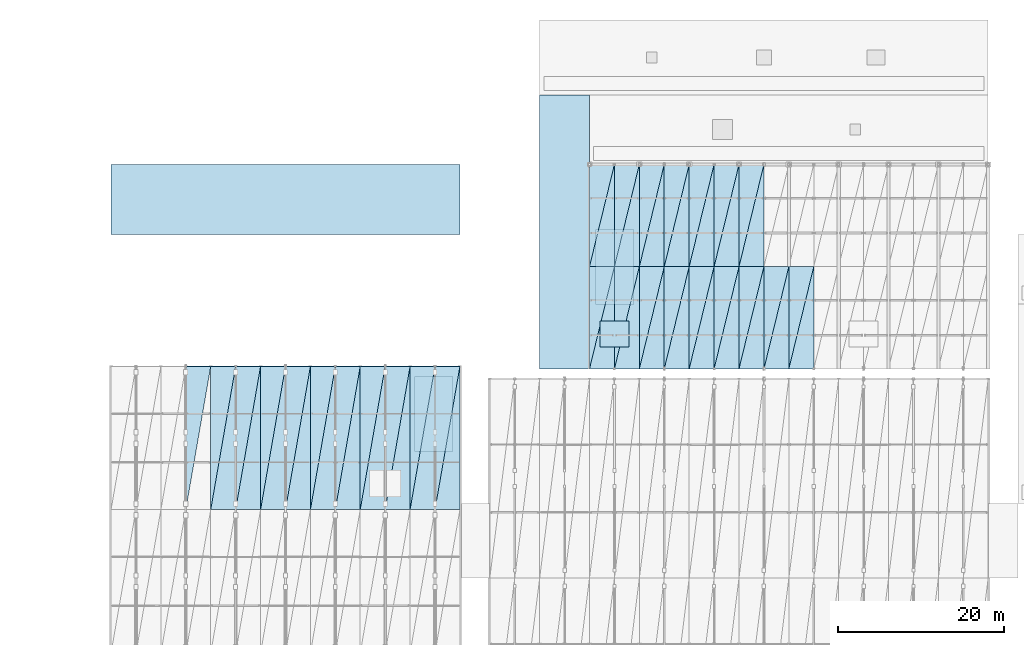
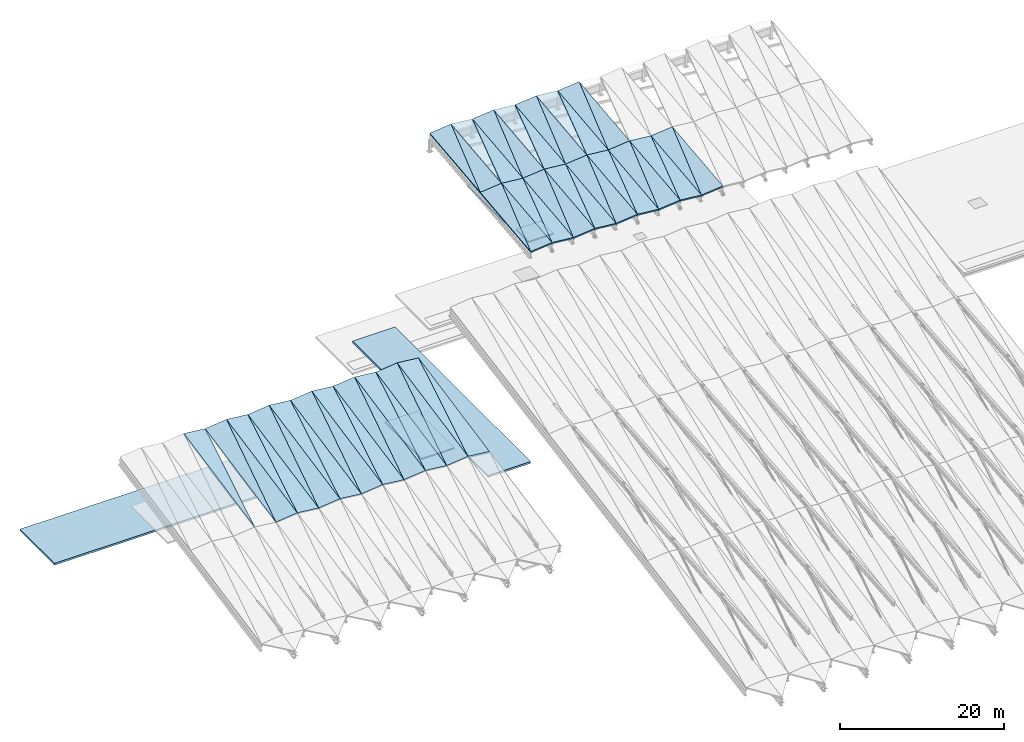
# One storey, part 22 of 52: 58 slabs.
"""IFC4 building model written with IfcOpenShell, lengths in metres."""

from ifc_helpers import new_model, si_unit, direction, frame, origin, place, context, subcontext, project, spatial, polyline, outline, extrude, material, layer, layer_set, type_object, element, save


model = new_model("IFC4")

# Units and contexts
model_context = context("Model", 3, precision=1e-05, world=origin(), true_north=direction((0.0, 1.0)))
body_context = subcontext(model_context, "Body", "Model", "MODEL_VIEW")
ifc_project = project(units=[si_unit("LENGTHUNIT", "METRE"), si_unit("AREAUNIT", "SQUARE_METRE"), si_unit("VOLUMEUNIT", "CUBIC_METRE"), si_unit("PLANEANGLEUNIT", "RADIAN"), si_unit("MASSUNIT", "GRAM", prefix="KILO")], contexts=[model_context])

# Site, building, storey
site_placement = place(None, origin())
site = spatial("IfcSite", under=ifc_project, at=site_placement, CompositionType="ELEMENT")
building_placement = place(site_placement, origin())
building = spatial("IfcBuilding", under=site, at=building_placement, Name="Vaelkrest Opera House", CompositionType="ELEMENT")
storey_placement = place(building_placement, frame((0.0, 0.0, 41.39990234375)))
storey = spatial("IfcBuildingStorey", under=building, at=storey_placement, Name="ROOF", CompositionType="ELEMENT", Elevation=41.39990234375)

# Slabs
ifc_material = material(Name="Concrete C40/50", Category="concrete")
ifc_layer_1 = layer(ifc_material, 0.215087890625)
ifc_layer_set_1 = layer_set([ifc_layer_1], Name="Concrete C40/50")
slab_type_1 = type_object("IfcSlabType", Name="RS02", PredefinedType="ROOF", material=ifc_layer_set_1)
slab_1_placement = place(storey_placement, frame((-66.60009765625, 0.449951171875, -13.637939453125), z_axis=(0.105319554338, -0.194372394638, 0.975257485835), x_axis=(0.168693911768, 0.969989992668, 0.175105049203)))
element("IfcSlab", 1, at=slab_1_placement, inside=storey, type_object=slab_type_1, Name="Pleated roof facet V3 2-2EU", PredefinedType="ROOF", context=body_context, shape_type="SweptSolid", body=[
    extrude(outline(polyline([(0.0, 0.0), (17.78368862605912, -1.1102230246251565e-16), (17.334336480669204, 2.9837966078392753), (0.0, 0.0)])), origin(), (0.0, 0.0, -1.0), 0.215087890625),
])
slab_2_placement = place(storey_placement, frame((-63.60009765625, 0.449951171875, -13.9619140625), z_axis=(-0.105319554338, -0.194372394638, 0.975257485835), x_axis=(0.994219425712, 0.0, 0.107367283359)))
element("IfcSlab", 2, at=slab_2_placement, inside=storey, type_object=slab_type_1, Name="Pleated roof facet V3 3-2WL", PredefinedType="ROOF", context=body_context, shape_type="SweptSolid", body=[
    extrude(outline(polyline([(0.0, 0.0), (3.0174425508234095, 1.3877787807814457e-17), (3.3865700128027116, 17.585391901769633), (0.0, 0.0)])), origin(), (0.0, 0.0, -1.0), 0.215087890625),
])
slab_3_placement = place(storey_placement, frame((-63.60009765625, 0.449951171875, -13.9619140625), z_axis=(-0.105319554338, -0.194372394638, 0.975257485835), x_axis=(0.167518088972, 0.963229011591, 0.210065611408)))
element("IfcSlab", 3, at=slab_3_placement, inside=storey, type_object=slab_type_1, Name="Pleated roof facet V3 3-2WU", PredefinedType="ROOF", context=body_context, shape_type="SweptSolid", body=[
    extrude(outline(polyline([(0.0, 0.0), (17.90851375157748, 1.1102230246251565e-16), (17.337903560261445, 2.962999081519595), (0.0, 0.0)])), origin(), (0.0, 0.0, -1.0), 0.215087890625),
])
slab_4_placement = place(storey_placement, frame((-60.60009765625, 0.449951171875, -13.637939453125), z_axis=(0.105319554338, -0.194372394638, 0.975257485835), x_axis=(0.994219425712, 0.0, -0.107367283359)))
element("IfcSlab", 4, at=slab_4_placement, inside=storey, type_object=slab_type_1, Name="Pleated roof facet V3 3-2EL", PredefinedType="ROOF", context=body_context, shape_type="SweptSolid", body=[
    extrude(outline(polyline([(0.0, 0.0), (3.0174425508234095, -1.3877787807814457e-17), (2.6483150888441074, 17.585391901769633), (0.0, 0.0)])), origin(), (0.0, 0.0, -1.0), 0.215087890625),
])
slab_5_placement = place(storey_placement, frame((-60.60009765625, 0.449951171875, -13.637939453125), z_axis=(0.105319554338, -0.194372394638, 0.975257485835), x_axis=(0.168693911768, 0.969989992668, 0.175105049203)))
element("IfcSlab", 5, at=slab_5_placement, inside=storey, type_object=slab_type_1, Name="Pleated roof facet V3 3-2EU", PredefinedType="ROOF", context=body_context, shape_type="SweptSolid", body=[
    extrude(outline(polyline([(0.0, 0.0), (17.78368862605912, -1.1102230246251565e-16), (17.334336480669204, 2.9837966078392753), (0.0, 0.0)])), origin(), (0.0, 0.0, -1.0), 0.215087890625),
])
slab_6_placement = place(storey_placement, frame((-57.60009765625, 0.449951171875, -13.9619140625), z_axis=(-0.105319554338, -0.194372394638, 0.975257485835), x_axis=(0.994219425712, 0.0, 0.107367283359)))
element("IfcSlab", 6, at=slab_6_placement, inside=storey, type_object=slab_type_1, Name="Pleated roof facet V3 4-2WL", PredefinedType="ROOF", context=body_context, shape_type="SweptSolid", body=[
    extrude(outline(polyline([(0.0, 0.0), (3.0174425508234095, 1.3877787807814457e-17), (3.3865700128027116, 17.585391901769633), (0.0, 0.0)])), origin(), (0.0, 0.0, -1.0), 0.215087890625),
])
slab_7_placement = place(storey_placement, frame((-57.60009765625, 0.449951171875, -13.9619140625), z_axis=(-0.105319554338, -0.194372394638, 0.975257485835), x_axis=(0.167518088972, 0.963229011591, 0.210065611408)))
element("IfcSlab", 7, at=slab_7_placement, inside=storey, type_object=slab_type_1, Name="Pleated roof facet V3 4-2WU", PredefinedType="ROOF", context=body_context, shape_type="SweptSolid", body=[
    extrude(outline(polyline([(0.0, 0.0), (17.90851375157748, 1.1102230246251565e-16), (17.337903560261445, 2.962999081519595), (0.0, 0.0)])), origin(), (0.0, 0.0, -1.0), 0.215087890625),
])
slab_8_placement = place(storey_placement, frame((-54.60009765625, 0.449951171875, -13.637939453125), z_axis=(0.105319554338, -0.194372394638, 0.975257485835), x_axis=(0.994219425712, 0.0, -0.107367283359)))
element("IfcSlab", 8, at=slab_8_placement, inside=storey, type_object=slab_type_1, Name="Pleated roof facet V3 4-2EL", PredefinedType="ROOF", context=body_context, shape_type="SweptSolid", body=[
    extrude(outline(polyline([(0.0, 0.0), (3.0174425508234095, -1.3877787807814457e-17), (2.6483150888441074, 17.585391901769633), (0.0, 0.0)])), origin(), (0.0, 0.0, -1.0), 0.215087890625),
])
slab_9_placement = place(storey_placement, frame((-54.60009765625, 0.449951171875, -13.637939453125), z_axis=(0.105319554338, -0.194372394638, 0.975257485835), x_axis=(0.168693911768, 0.969989992668, 0.175105049203)))
element("IfcSlab", 9, at=slab_9_placement, inside=storey, type_object=slab_type_1, Name="Pleated roof facet V3 4-2EU", PredefinedType="ROOF", context=body_context, shape_type="SweptSolid", body=[
    extrude(outline(polyline([(0.0, 0.0), (17.78368862605912, -1.1102230246251565e-16), (17.334336480669204, 2.9837966078392753), (0.0, 0.0)])), origin(), (0.0, 0.0, -1.0), 0.215087890625),
])
slab_10_placement = place(storey_placement, frame((-51.60009765625, 0.449951171875, -13.9619140625), z_axis=(-0.105319554338, -0.194372394638, 0.975257485835), x_axis=(0.994219425712, 0.0, 0.107367283359)))
element("IfcSlab", 10, at=slab_10_placement, inside=storey, type_object=slab_type_1, Name="Pleated roof facet V3 5-2WL", PredefinedType="ROOF", context=body_context, shape_type="SweptSolid", body=[
    extrude(outline(polyline([(0.0, 0.0), (3.0174425508234095, 1.3877787807814457e-17), (3.3865700128027116, 17.585391901769633), (0.0, 0.0)])), origin(), (0.0, 0.0, -1.0), 0.215087890625),
])
slab_11_placement = place(storey_placement, frame((-51.60009765625, 0.449951171875, -13.9619140625), z_axis=(-0.105319554338, -0.194372394638, 0.975257485835), x_axis=(0.167518088972, 0.963229011591, 0.210065611408)))
element("IfcSlab", 11, at=slab_11_placement, inside=storey, type_object=slab_type_1, Name="Pleated roof facet V3 5-2WU", PredefinedType="ROOF", context=body_context, shape_type="SweptSolid", body=[
    extrude(outline(polyline([(0.0, 0.0), (17.90851375157748, 1.1102230246251565e-16), (17.337903560261445, 2.962999081519595), (0.0, 0.0)])), origin(), (0.0, 0.0, -1.0), 0.215087890625),
])
slab_12_placement = place(storey_placement, frame((-48.60009765625, 0.449951171875, -13.637939453125), z_axis=(0.105319554338, -0.194372394638, 0.975257485835), x_axis=(0.994219425712, 0.0, -0.107367283359)))
element("IfcSlab", 12, at=slab_12_placement, inside=storey, type_object=slab_type_1, Name="Pleated roof facet V3 5-2EL", PredefinedType="ROOF", context=body_context, shape_type="SweptSolid", body=[
    extrude(outline(polyline([(0.0, 0.0), (3.0174425508234095, -1.3877787807814457e-17), (2.6483150888441074, 17.585391901769633), (0.0, 0.0)])), origin(), (0.0, 0.0, -1.0), 0.215087890625),
])
slab_13_placement = place(storey_placement, frame((-48.60009765625, 0.449951171875, -13.637939453125), z_axis=(0.105319554338, -0.194372394638, 0.975257485835), x_axis=(0.168693911768, 0.969989992668, 0.175105049203)))
element("IfcSlab", 13, at=slab_13_placement, inside=storey, type_object=slab_type_1, Name="Pleated roof facet V3 5-2EU", PredefinedType="ROOF", context=body_context, shape_type="SweptSolid", body=[
    extrude(outline(polyline([(0.0, 0.0), (17.78368862605912, -1.1102230246251565e-16), (17.334336480669204, 2.9837966078392753), (0.0, 0.0)])), origin(), (0.0, 0.0, -1.0), 0.215087890625),
])
slab_14_placement = place(storey_placement, frame((-45.60009765625, 0.449951171875, -13.9619140625), z_axis=(-0.105319554338, -0.194372394638, 0.975257485835), x_axis=(0.994219425712, 0.0, 0.107367283359)))
element("IfcSlab", 14, at=slab_14_placement, inside=storey, type_object=slab_type_1, Name="Pleated roof facet V3 6-2WL", PredefinedType="ROOF", context=body_context, shape_type="SweptSolid", body=[
    extrude(outline(polyline([(0.0, 0.0), (3.0174425508234095, 1.3877787807814457e-17), (3.3865700128027116, 17.585391901769633), (0.0, 0.0)])), origin(), (0.0, 0.0, -1.0), 0.215087890625),
])
slab_15_placement = place(storey_placement, frame((-45.60009765625, 0.449951171875, -13.9619140625), z_axis=(-0.105319554338, -0.194372394638, 0.975257485835), x_axis=(0.167518088972, 0.963229011591, 0.210065611408)))
element("IfcSlab", 15, at=slab_15_placement, inside=storey, type_object=slab_type_1, Name="Pleated roof facet V3 6-2WU", PredefinedType="ROOF", context=body_context, shape_type="SweptSolid", body=[
    extrude(outline(polyline([(0.0, 0.0), (17.90851375157748, 1.1102230246251565e-16), (17.337903560261445, 2.962999081519595), (0.0, 0.0)])), origin(), (0.0, 0.0, -1.0), 0.215087890625),
])
slab_16_placement = place(storey_placement, frame((-42.60009765625, 0.449951171875, -13.637939453125), z_axis=(0.105319554338, -0.194372394638, 0.975257485835), x_axis=(0.994219425712, 0.0, -0.107367283359)))
element("IfcSlab", 16, at=slab_16_placement, inside=storey, type_object=slab_type_1, Name="Pleated roof facet V3 6-2EL", PredefinedType="ROOF", context=body_context, shape_type="SweptSolid", body=[
    extrude(outline(polyline([(0.0, 0.0), (3.0174425508234095, -1.3877787807814457e-17), (2.6483150888441074, 17.585391901769633), (0.0, 0.0)])), origin(), (0.0, 0.0, -1.0), 0.215087890625),
])
slab_17_placement = place(storey_placement, frame((-42.60009765625, 0.449951171875, -13.637939453125), z_axis=(0.105319554338, -0.194372394638, 0.975257485835), x_axis=(0.168693911768, 0.969989992668, 0.175105049203)))
element("IfcSlab", 17, at=slab_17_placement, inside=storey, type_object=slab_type_1, Name="Pleated roof facet V3 6-2EU", PredefinedType="ROOF", context=body_context, shape_type="SweptSolid", body=[
    extrude(outline(polyline([(0.0, 0.0), (17.78368862605912, -1.1102230246251565e-16), (17.334336480669204, 2.9837966078392753), (0.0, 0.0)])), origin(), (0.0, 0.0, -1.0), 0.215087890625),
])
slab_18_placement = place(storey_placement, frame((-39.60009765625, 0.449951171875, -13.9619140625), z_axis=(-0.105319554338, -0.194372394638, 0.975257485835), x_axis=(0.994219425712, 0.0, 0.107367283359)))
element("IfcSlab", 18, at=slab_18_placement, inside=storey, type_object=slab_type_1, Name="Pleated roof facet V3 7-2WL", PredefinedType="ROOF", context=body_context, shape_type="SweptSolid", body=[
    extrude(outline(polyline([(0.0, 0.0), (3.0174425508234095, 1.3877787807814457e-17), (3.3865700128027116, 17.585391901769633), (0.0, 0.0)])), origin(), (0.0, 0.0, -1.0), 0.215087890625),
])
slab_19_placement = place(storey_placement, frame((-39.60009765625, 0.449951171875, -13.9619140625), z_axis=(-0.105319554338, -0.194372394638, 0.975257485835), x_axis=(0.167518088972, 0.963229011591, 0.210065611408)))
element("IfcSlab", 19, at=slab_19_placement, inside=storey, type_object=slab_type_1, Name="Pleated roof facet V3 7-2WU", PredefinedType="ROOF", context=body_context, shape_type="SweptSolid", body=[
    extrude(outline(polyline([(0.0, 0.0), (17.90851375157748, 1.1102230246251565e-16), (17.337903560261445, 2.962999081519595), (0.0, 0.0)])), origin(), (0.0, 0.0, -1.0), 0.215087890625),
])
slab_20_placement = place(storey_placement, frame((-36.60009765625, 0.449951171875, -13.637939453125), z_axis=(0.105319554338, -0.194372394638, 0.975257485835), x_axis=(0.994219425712, 0.0, -0.107367283359)))
element("IfcSlab", 20, at=slab_20_placement, inside=storey, type_object=slab_type_1, Name="Pleated roof facet V3 7-2EL", PredefinedType="ROOF", context=body_context, shape_type="SweptSolid", body=[
    extrude(outline(polyline([(0.0, 0.0), (3.0174425508234095, -1.3877787807814457e-17), (2.6483150888441074, 17.585391901769633), (0.0, 0.0)])), origin(), (0.0, 0.0, -1.0), 0.215087890625),
])
slab_21_placement = place(storey_placement, frame((-36.60009765625, 0.449951171875, -13.637939453125), z_axis=(0.105319554338, -0.194372394638, 0.975257485835), x_axis=(0.168693911768, 0.969989992668, 0.175105049203)))
element("IfcSlab", 21, at=slab_21_placement, inside=storey, type_object=slab_type_1, Name="Pleated roof facet V3 7-2EU", PredefinedType="ROOF", context=body_context, shape_type="SweptSolid", body=[
    extrude(outline(polyline([(0.0, 0.0), (17.78368862605912, -1.1102230246251565e-16), (17.334336480669204, 2.9837966078392753), (0.0, 0.0)])), origin(), (0.0, 0.0, -1.0), 0.215087890625),
])
ifc_layer_2 = layer(ifc_material, 0.195068359375)
ifc_layer_set_2 = layer_set([ifc_layer_2], Name="Concrete C40/50")
slab_type_2 = type_object("IfcSlabType", Name="RS03", PredefinedType="ROOF", material=ifc_layer_set_2)
slab_22_placement = place(storey_placement, frame((-18.0, 17.39990234375, 0.0), z_axis=(-0.098931440325, -0.108573040383, 0.989153408232), x_axis=(0.995035586592, 0.0, 0.0995197539)))
element("IfcSlab", 22, at=slab_22_placement, inside=storey, type_object=slab_type_2, Name="Pleated roof facet V2 1-1WL", PredefinedType="ROOF", context=body_context, shape_type="SweptSolid", body=[
    extrude(outline(polyline([(0.0, 0.0), (3.014967545307774, -6.938893903907228e-18), (3.1493289317985096, 12.37319327714116), (0.0, 0.0)])), origin(), (0.0, 0.0, -1.0), 0.199951171875),
])
slab_23_placement = place(storey_placement, frame((-18.0, 17.39990234375, 0.0), z_axis=(-0.098931440325, -0.108573040383, 0.989153408232), x_axis=(0.234967911524, 0.963372261596, 0.129243824381)))
element("IfcSlab", 23, at=slab_23_placement, inside=storey, type_object=slab_type_2, Name="Pleated roof facet V2 1-1WU", PredefinedType="ROOF", context=body_context, shape_type="SweptSolid", body=[
    extrude(outline(polyline([(0.0, 0.0), (12.767700834298804, -3.0531133177191805e-16), (12.024017641678572, 2.921808448251419), (0.0, 0.0)])), origin(), (0.0, 0.0, -1.0), 0.199951171875),
])
slab_24_placement = place(storey_placement, frame((-15.0, 17.39990234375, 0.300048828125), z_axis=(0.098931440325, -0.108573040383, 0.989153408232), x_axis=(0.995035586592, 0.0, -0.0995197539)))
element("IfcSlab", 24, at=slab_24_placement, inside=storey, type_object=slab_type_2, Name="Pleated roof facet V2 1-1EL", PredefinedType="ROOF", context=body_context, shape_type="SweptSolid", body=[
    extrude(outline(polyline([(0.0, 0.0), (3.014967545307774, 6.938893903907228e-18), (2.880606158817039, 12.373193277141159), (0.0, 0.0)])), origin(), (0.0, 0.0, -1.0), 0.199951171875),
])
slab_25_placement = place(storey_placement, frame((-15.0, 17.39990234375, 0.300048828125), z_axis=(0.098931440325, -0.108573040383, 0.989153408232), x_axis=(0.236144495216, 0.968196273882, 0.082654416823)))
element("IfcSlab", 25, at=slab_25_placement, inside=storey, type_object=slab_type_2, Name="Pleated roof facet V2 1-1EU", PredefinedType="ROOF", context=body_context, shape_type="SweptSolid", body=[
    extrude(outline(polyline([(0.0, 0.0), (12.704086103128628, 6.661338147750939e-16), (12.020452978388688, 2.9364391786681865), (0.0, 0.0)])), origin(), (0.0, 0.0, -1.0), 0.199951171875),
])
slab_26_placement = place(storey_placement, frame((-18.0, 29.699951171875, 1.35009765625), z_axis=(-0.098931651196, -0.108553638301, 0.989155516591), x_axis=(0.995035586592, 0.0, 0.0995197539)))
element("IfcSlab", 26, at=slab_26_placement, inside=storey, type_object=slab_type_2, Name="Pleated roof facet V2 1-2WL", PredefinedType="ROOF", context=body_context, shape_type="SweptSolid", body=[
    extrude(outline(polyline([(0.0, 0.0), (3.014967545307774, 0.0), (3.1493046349835927, 12.373166904000035), (0.0, 0.0)])), origin(), (0.0, 0.0, -1.0), 0.199951171875),
])
slab_27_placement = place(storey_placement, frame((-18.0, 29.699951171875, 1.35009765625), z_axis=(-0.098851729727, -0.108573904688, 0.989161282477), x_axis=(0.234968492175, 0.963374642275, 0.129225021982)))
element("IfcSlab", 27, at=slab_27_placement, inside=storey, type_object=slab_type_2, Name="Pleated roof facet V2 1-2WU", PredefinedType="ROOF", context=body_context, shape_type="SweptSolid", body=[
    extrude(outline(polyline([(0.0, 0.0), (12.767669282925954, 3.3306690738754696e-16), (12.024021539067913, 2.9217924094127263), (0.0, 0.0)])), origin(), (0.0, 0.0, -1.0), 0.199951171875),
])
slab_28_placement = place(storey_placement, frame((-15.0, 29.699951171875, 1.650146484375), z_axis=(0.098931440325, -0.108573040383, 0.989153408232), x_axis=(0.995035586592, 0.0, -0.0995197539)))
element("IfcSlab", 28, at=slab_28_placement, inside=storey, type_object=slab_type_2, Name="Pleated roof facet V2 1-2EL", PredefinedType="ROOF", context=body_context, shape_type="SweptSolid", body=[
    extrude(outline(polyline([(0.0, 0.0), (3.014967545307774, 6.938893903907228e-18), (2.880606158817039, 12.373193277141159), (0.0, 0.0)])), origin(), (0.0, 0.0, -1.0), 0.199951171875),
])
slab_29_placement = place(storey_placement, frame((-15.0, 29.699951171875, 1.650146484375), z_axis=(0.09885194043, -0.108554502456, 0.989163390886), x_axis=(0.236144495216, 0.968196273882, 0.082654416823)))
element("IfcSlab", 29, at=slab_29_placement, inside=storey, type_object=slab_type_2, Name="Pleated roof facet V2 1-2EU", PredefinedType="ROOF", context=body_context, shape_type="SweptSolid", body=[
    extrude(outline(polyline([(0.0, 0.0), (12.704086103128628, 1.3877787807814457e-16), (12.020432799087706, 2.9364095440726423), (0.0, 0.0)])), origin(), (0.0, 0.0, -1.0), 0.199951171875),
])
slab_30_placement = place(storey_placement, frame((-12.0, 17.39990234375, 0.0), z_axis=(-0.098931440325, -0.108573040383, 0.989153408232), x_axis=(0.995035586592, 0.0, 0.0995197539)))
element("IfcSlab", 30, at=slab_30_placement, inside=storey, type_object=slab_type_2, Name="Pleated roof facet V2 2-1WL", PredefinedType="ROOF", context=body_context, shape_type="SweptSolid", body=[
    extrude(outline(polyline([(0.0, 0.0), (3.014967545307774, -6.938893903907228e-18), (3.1493289317985096, 12.37319327714116), (0.0, 0.0)])), origin(), (0.0, 0.0, -1.0), 0.199951171875),
])
slab_31_placement = place(storey_placement, frame((-12.0, 17.39990234375, 0.0), z_axis=(-0.098931440325, -0.108573040383, 0.989153408232), x_axis=(0.234967911524, 0.963372261596, 0.129243824381)))
element("IfcSlab", 31, at=slab_31_placement, inside=storey, type_object=slab_type_2, Name="Pleated roof facet V2 2-1WU", PredefinedType="ROOF", context=body_context, shape_type="SweptSolid", body=[
    extrude(outline(polyline([(0.0, 0.0), (12.767700834298804, -3.0531133177191805e-16), (12.024017641678572, 2.921808448251419), (0.0, 0.0)])), origin(), (0.0, 0.0, -1.0), 0.199951171875),
])
slab_32_placement = place(storey_placement, frame((-9.0, 17.39990234375, 0.300048828125), z_axis=(0.098931440325, -0.108573040383, 0.989153408232), x_axis=(0.995035586592, 0.0, -0.0995197539)))
element("IfcSlab", 32, at=slab_32_placement, inside=storey, type_object=slab_type_2, Name="Pleated roof facet V2 2-1EL", PredefinedType="ROOF", context=body_context, shape_type="SweptSolid", body=[
    extrude(outline(polyline([(0.0, 0.0), (3.014967545307774, 6.938893903907228e-18), (2.880606158817039, 12.373193277141159), (0.0, 0.0)])), origin(), (0.0, 0.0, -1.0), 0.199951171875),
])
slab_33_placement = place(storey_placement, frame((-9.0, 17.39990234375, 0.300048828125), z_axis=(0.098931440325, -0.108573040383, 0.989153408232), x_axis=(0.236144495216, 0.968196273882, 0.082654416823)))
element("IfcSlab", 33, at=slab_33_placement, inside=storey, type_object=slab_type_2, Name="Pleated roof facet V2 2-1EU", PredefinedType="ROOF", context=body_context, shape_type="SweptSolid", body=[
    extrude(outline(polyline([(0.0, 0.0), (12.704086103128628, 6.661338147750939e-16), (12.020452978388688, 2.9364391786681865), (0.0, 0.0)])), origin(), (0.0, 0.0, -1.0), 0.199951171875),
])
slab_34_placement = place(storey_placement, frame((-12.0, 29.699951171875, 1.35009765625), z_axis=(-0.098931651196, -0.108553638301, 0.989155516591), x_axis=(0.995035586592, 0.0, 0.0995197539)))
element("IfcSlab", 34, at=slab_34_placement, inside=storey, type_object=slab_type_2, Name="Pleated roof facet V2 2-2WL", PredefinedType="ROOF", context=body_context, shape_type="SweptSolid", body=[
    extrude(outline(polyline([(0.0, 0.0), (3.014967545307774, 0.0), (3.1493046349835927, 12.373166904000035), (0.0, 0.0)])), origin(), (0.0, 0.0, -1.0), 0.199951171875),
])
slab_35_placement = place(storey_placement, frame((-12.0, 29.699951171875, 1.35009765625), z_axis=(-0.098851729727, -0.108573904688, 0.989161282477), x_axis=(0.234968492175, 0.963374642275, 0.129225021982)))
element("IfcSlab", 35, at=slab_35_placement, inside=storey, type_object=slab_type_2, Name="Pleated roof facet V2 2-2WU", PredefinedType="ROOF", context=body_context, shape_type="SweptSolid", body=[
    extrude(outline(polyline([(0.0, 0.0), (12.767669282925954, 3.3306690738754696e-16), (12.024021539067913, 2.9217924094127263), (0.0, 0.0)])), origin(), (0.0, 0.0, -1.0), 0.199951171875),
])
slab_36_placement = place(storey_placement, frame((-9.0, 29.699951171875, 1.650146484375), z_axis=(0.098931440325, -0.108573040383, 0.989153408232), x_axis=(0.995035586592, 0.0, -0.0995197539)))
element("IfcSlab", 36, at=slab_36_placement, inside=storey, type_object=slab_type_2, Name="Pleated roof facet V2 2-2EL", PredefinedType="ROOF", context=body_context, shape_type="SweptSolid", body=[
    extrude(outline(polyline([(0.0, 0.0), (3.014967545307774, 6.938893903907228e-18), (2.880606158817039, 12.373193277141159), (0.0, 0.0)])), origin(), (0.0, 0.0, -1.0), 0.199951171875),
])
slab_37_placement = place(storey_placement, frame((-9.0, 29.699951171875, 1.650146484375), z_axis=(0.09885194043, -0.108554502456, 0.989163390886), x_axis=(0.236144495216, 0.968196273882, 0.082654416823)))
element("IfcSlab", 37, at=slab_37_placement, inside=storey, type_object=slab_type_2, Name="Pleated roof facet V2 2-2EU", PredefinedType="ROOF", context=body_context, shape_type="SweptSolid", body=[
    extrude(outline(polyline([(0.0, 0.0), (12.704086103128628, 1.3877787807814457e-16), (12.020432799087706, 2.9364095440726423), (0.0, 0.0)])), origin(), (0.0, 0.0, -1.0), 0.199951171875),
])
slab_38_placement = place(storey_placement, frame((-6.0, 17.39990234375, 0.0), z_axis=(-0.098931440325, -0.108573040383, 0.989153408232), x_axis=(0.995035586592, 0.0, 0.0995197539)))
element("IfcSlab", 38, at=slab_38_placement, inside=storey, type_object=slab_type_2, Name="Pleated roof facet V2 3-1WL", PredefinedType="ROOF", context=body_context, shape_type="SweptSolid", body=[
    extrude(outline(polyline([(0.0, 0.0), (3.014967545307774, -6.938893903907228e-18), (3.1493289317985096, 12.37319327714116), (0.0, 0.0)])), origin(), (0.0, 0.0, -1.0), 0.199951171875),
])
slab_39_placement = place(storey_placement, frame((-6.0, 17.39990234375, 0.0), z_axis=(-0.098931440325, -0.108573040383, 0.989153408232), x_axis=(0.234967911524, 0.963372261596, 0.129243824381)))
element("IfcSlab", 39, at=slab_39_placement, inside=storey, type_object=slab_type_2, Name="Pleated roof facet V2 3-1WU", PredefinedType="ROOF", context=body_context, shape_type="SweptSolid", body=[
    extrude(outline(polyline([(0.0, 0.0), (12.767700834298804, -3.0531133177191805e-16), (12.024017641678572, 2.921808448251419), (0.0, 0.0)])), origin(), (0.0, 0.0, -1.0), 0.199951171875),
])
slab_40_placement = place(storey_placement, frame((-3.0, 17.39990234375, 0.300048828125), z_axis=(0.098931440325, -0.108573040383, 0.989153408232), x_axis=(0.995035586592, 0.0, -0.0995197539)))
element("IfcSlab", 40, at=slab_40_placement, inside=storey, type_object=slab_type_2, Name="Pleated roof facet V2 3-1EL", PredefinedType="ROOF", context=body_context, shape_type="SweptSolid", body=[
    extrude(outline(polyline([(0.0, 0.0), (3.014967545307774, 6.938893903907228e-18), (2.880606158817039, 12.373193277141159), (0.0, 0.0)])), origin(), (0.0, 0.0, -1.0), 0.199951171875),
])
slab_41_placement = place(storey_placement, frame((-3.0, 17.39990234375, 0.300048828125), z_axis=(0.098931440325, -0.108573040383, 0.989153408232), x_axis=(0.236144495216, 0.968196273882, 0.082654416823)))
element("IfcSlab", 41, at=slab_41_placement, inside=storey, type_object=slab_type_2, Name="Pleated roof facet V2 3-1EU", PredefinedType="ROOF", context=body_context, shape_type="SweptSolid", body=[
    extrude(outline(polyline([(0.0, 0.0), (12.704086103128628, 6.661338147750939e-16), (12.020452978388688, 2.9364391786681865), (0.0, 0.0)])), origin(), (0.0, 0.0, -1.0), 0.199951171875),
])
slab_42_placement = place(storey_placement, frame((-6.0, 29.699951171875, 1.35009765625), z_axis=(-0.098931651196, -0.108553638301, 0.989155516591), x_axis=(0.995035586592, 0.0, 0.0995197539)))
element("IfcSlab", 42, at=slab_42_placement, inside=storey, type_object=slab_type_2, Name="Pleated roof facet V2 3-2WL", PredefinedType="ROOF", context=body_context, shape_type="SweptSolid", body=[
    extrude(outline(polyline([(0.0, 0.0), (3.014967545307774, 0.0), (3.1493046349835927, 12.373166904000035), (0.0, 0.0)])), origin(), (0.0, 0.0, -1.0), 0.199951171875),
])
slab_43_placement = place(storey_placement, frame((-6.0, 29.699951171875, 1.35009765625), z_axis=(-0.098851729727, -0.108573904688, 0.989161282477), x_axis=(0.234968492175, 0.963374642275, 0.129225021982)))
element("IfcSlab", 43, at=slab_43_placement, inside=storey, type_object=slab_type_2, Name="Pleated roof facet V2 3-2WU", PredefinedType="ROOF", context=body_context, shape_type="SweptSolid", body=[
    extrude(outline(polyline([(0.0, 0.0), (12.767669282925954, 3.3306690738754696e-16), (12.024021539067913, 2.9217924094127263), (0.0, 0.0)])), origin(), (0.0, 0.0, -1.0), 0.199951171875),
])
slab_44_placement = place(storey_placement, frame((-3.0, 29.699951171875, 1.650146484375), z_axis=(0.098931440325, -0.108573040383, 0.989153408232), x_axis=(0.995035586592, 0.0, -0.0995197539)))
element("IfcSlab", 44, at=slab_44_placement, inside=storey, type_object=slab_type_2, Name="Pleated roof facet V2 3-2EL", PredefinedType="ROOF", context=body_context, shape_type="SweptSolid", body=[
    extrude(outline(polyline([(0.0, 0.0), (3.014967545307774, 6.938893903907228e-18), (2.880606158817039, 12.373193277141159), (0.0, 0.0)])), origin(), (0.0, 0.0, -1.0), 0.199951171875),
])
slab_45_placement = place(storey_placement, frame((-3.0, 29.699951171875, 1.650146484375), z_axis=(0.09885194043, -0.108554502456, 0.989163390886), x_axis=(0.236144495216, 0.968196273882, 0.082654416823)))
element("IfcSlab", 45, at=slab_45_placement, inside=storey, type_object=slab_type_2, Name="Pleated roof facet V2 3-2EU", PredefinedType="ROOF", context=body_context, shape_type="SweptSolid", body=[
    extrude(outline(polyline([(0.0, 0.0), (12.704086103128628, 1.3877787807814457e-16), (12.020432799087706, 2.9364095440726423), (0.0, 0.0)])), origin(), (0.0, 0.0, -1.0), 0.199951171875),
])
slab_46_placement = place(storey_placement, frame((0.0, 17.39990234375, 0.0), z_axis=(-0.098931440325, -0.108573040383, 0.989153408232), x_axis=(0.995035586592, 0.0, 0.0995197539)))
element("IfcSlab", 46, at=slab_46_placement, inside=storey, type_object=slab_type_2, Name="Pleated roof facet V2 4-1WL", PredefinedType="ROOF", context=body_context, shape_type="SweptSolid", body=[
    extrude(outline(polyline([(0.0, 0.0), (3.014967545307774, -6.938893903907228e-18), (3.1493289317985096, 12.37319327714116), (0.0, 0.0)])), origin(), (0.0, 0.0, -1.0), 0.199951171875),
])
slab_47_placement = place(storey_placement, frame((0.0, 17.39990234375, 0.0), z_axis=(-0.098931440325, -0.108573040383, 0.989153408232), x_axis=(0.234967911524, 0.963372261596, 0.129243824381)))
element("IfcSlab", 47, at=slab_47_placement, inside=storey, type_object=slab_type_2, Name="Pleated roof facet V2 4-1WU", PredefinedType="ROOF", context=body_context, shape_type="SweptSolid", body=[
    extrude(outline(polyline([(0.0, 0.0), (12.767700834298804, -3.0531133177191805e-16), (12.024017641678572, 2.921808448251419), (0.0, 0.0)])), origin(), (0.0, 0.0, -1.0), 0.199951171875),
])
slab_48_placement = place(storey_placement, frame((3.0, 17.39990234375, 0.300048828125), z_axis=(0.098931440325, -0.108573040383, 0.989153408232), x_axis=(0.995035586592, 0.0, -0.0995197539)))
element("IfcSlab", 48, at=slab_48_placement, inside=storey, type_object=slab_type_2, Name="Pleated roof facet V2 4-1EL", PredefinedType="ROOF", context=body_context, shape_type="SweptSolid", body=[
    extrude(outline(polyline([(0.0, 0.0), (3.014967545307774, 6.938893903907228e-18), (2.880606158817039, 12.373193277141159), (0.0, 0.0)])), origin(), (0.0, 0.0, -1.0), 0.199951171875),
])
slab_49_placement = place(storey_placement, frame((3.0, 17.39990234375, 0.300048828125), z_axis=(0.098931440325, -0.108573040383, 0.989153408232), x_axis=(0.236144495216, 0.968196273882, 0.082654416823)))
element("IfcSlab", 49, at=slab_49_placement, inside=storey, type_object=slab_type_2, Name="Pleated roof facet V2 4-1EU", PredefinedType="ROOF", context=body_context, shape_type="SweptSolid", body=[
    extrude(outline(polyline([(0.0, 0.0), (12.704086103128628, 6.661338147750939e-16), (12.020452978388688, 2.9364391786681865), (0.0, 0.0)])), origin(), (0.0, 0.0, -1.0), 0.199951171875),
])
slab_50_placement = place(storey_placement, frame((0.0, 29.699951171875, 1.35009765625), z_axis=(-0.098931651196, -0.108553638301, 0.989155516591), x_axis=(0.995035586592, 0.0, 0.0995197539)))
element("IfcSlab", 50, at=slab_50_placement, inside=storey, type_object=slab_type_2, Name="Pleated roof facet V2 4-2WL", PredefinedType="ROOF", context=body_context, shape_type="SweptSolid", body=[
    extrude(outline(polyline([(0.0, 0.0), (3.014967545307774, 0.0), (3.1493046349835927, 12.373166904000035), (0.0, 0.0)])), origin(), (0.0, 0.0, -1.0), 0.199951171875),
])
slab_51_placement = place(storey_placement, frame((0.0, 29.699951171875, 1.35009765625), z_axis=(-0.098851729727, -0.108573904688, 0.989161282477), x_axis=(0.234968492175, 0.963374642275, 0.129225021982)))
element("IfcSlab", 51, at=slab_51_placement, inside=storey, type_object=slab_type_2, Name="Pleated roof facet V2 4-2WU", PredefinedType="ROOF", context=body_context, shape_type="SweptSolid", body=[
    extrude(outline(polyline([(0.0, 0.0), (12.767669282925954, 3.3306690738754696e-16), (12.024021539067913, 2.9217924094127263), (0.0, 0.0)])), origin(), (0.0, 0.0, -1.0), 0.199951171875),
])
slab_52_placement = place(storey_placement, frame((6.0, 17.39990234375, 0.0), z_axis=(-0.098931440325, -0.108573040383, 0.989153408232), x_axis=(0.995035586592, 0.0, 0.0995197539)))
element("IfcSlab", 52, at=slab_52_placement, inside=storey, type_object=slab_type_2, Name="Pleated roof facet V2 5-1WL", PredefinedType="ROOF", context=body_context, shape_type="SweptSolid", body=[
    extrude(outline(polyline([(0.0, 0.0), (3.014967545307774, -6.938893903907228e-18), (3.1493289317985096, 12.37319327714116), (0.0, 0.0)])), origin(), (0.0, 0.0, -1.0), 0.199951171875),
])
slab_53_placement = place(storey_placement, frame((6.0, 17.39990234375, 0.0), z_axis=(-0.098931440325, -0.108573040383, 0.989153408232), x_axis=(0.234967911524, 0.963372261596, 0.129243824381)))
element("IfcSlab", 53, at=slab_53_placement, inside=storey, type_object=slab_type_2, Name="Pleated roof facet V2 5-1WU", PredefinedType="ROOF", context=body_context, shape_type="SweptSolid", body=[
    extrude(outline(polyline([(0.0, 0.0), (12.767700834298804, -3.0531133177191805e-16), (12.024017641678572, 2.921808448251419), (0.0, 0.0)])), origin(), (0.0, 0.0, -1.0), 0.199951171875),
])
ifc_layer_3 = layer(ifc_material, 0.27490234375)
ifc_layer_set_3 = layer_set([ifc_layer_3], Name="Concrete C40/50")
slab_type_3 = type_object("IfcSlabType", Name="RS05", PredefinedType="ROOF", material=ifc_layer_set_3)
slab_54_placement = place(storey_placement, frame((0.0, 0.0, -31.474853515625)))
element("IfcSlab", 54, at=slab_54_placement, inside=storey, type_object=slab_type_3, Name="Flat roof slab SLB-ROOF-V2-WEST", PredefinedType="ROOF", context=body_context, shape_type="SweptSolid", body=[
    extrude(outline(polyline([(-24.0, 17.39990234375), (-18.0, 17.39990234375), (-18.0, 50.39990234375), (-24.0, 50.39990234375), (-24.0, 17.39990234375)])), origin(), (0.0, 0.0, 1.0), 0.27490234375),
])
slab_55_placement = place(storey_placement, frame((0.0, 0.0, -36.27490234375)))
element("IfcSlab", 55, at=slab_55_placement, inside=storey, type_object=slab_type_3, Name="Flat roof slab SLB-ROOF-V3-NORTH", PredefinedType="ROOF", context=body_context, shape_type="SweptSolid", body=[
    extrude(outline(polyline([(-75.60009765625, 33.60009765625), (-33.60009765625, 33.60009765625), (-33.60009765625, 42.0), (-75.60009765625, 42.0), (-75.60009765625, 33.60009765625)])), origin(), (0.0, 0.0, 1.0), 0.27490234375),
])
ifc_layer_4 = layer(ifc_material, 0.205078125)
ifc_layer_set_4 = layer_set([ifc_layer_4], Name="Concrete C40/50")
slab_type_4 = type_object("IfcSlabType", Name="RS06", PredefinedType="ROOF", material=ifc_layer_set_4)
slab_56_placement = place(storey_placement, frame((0.0, 0.0, -0.7548828125)))
element("IfcSlab", 56, at=slab_56_placement, inside=storey, type_object=slab_type_4, Name="Stair shaft cap slab ST05", PredefinedType="ROOF", context=body_context, shape_type="SweptSolid", body=[
    extrude(outline(polyline([(-17.25, 25.14990234375), (-12.64990234375, 25.14990234375), (-12.64990234375, 34.14990234375), (-17.25, 34.14990234375), (-17.25, 25.14990234375)])), origin(), (0.0, 0.0, 1.0), 0.205078125),
])
slab_57_placement = place(storey_placement, frame((0.0, 0.0, -17.554931640625)))
element("IfcSlab", 57, at=slab_57_placement, inside=storey, type_object=slab_type_4, Name="Stair shaft cap slab ST08", PredefinedType="ROOF", context=body_context, shape_type="SweptSolid", body=[
    extrude(outline(polyline([(-39.050048828125, 7.449951171875), (-34.449951171875, 7.449951171875), (-34.449951171875, 16.449951171875), (-39.050048828125, 16.449951171875), (-39.050048828125, 7.449951171875)])), origin(), (0.0, 0.0, 1.0), 0.205078125),
])
slab_58_placement = place(storey_placement, frame((0.0, 0.0, -0.7548828125)))
element("IfcSlab", 58, at=slab_58_placement, inside=storey, type_object=slab_type_4, Name="Lift overrun slab LF01", PredefinedType="ROOF", context=body_context, shape_type="SweptSolid", body=[
    extrude(outline(polyline([(-16.739990234375, 20.06005859375), (-13.260009765625, 20.06005859375), (-13.260009765625, 23.139892578125), (-16.739990234375, 23.139892578125), (-16.739990234375, 20.06005859375)])), origin(), (0.0, 0.0, 1.0), 0.205078125),
])

save(model, "model.ifc")
